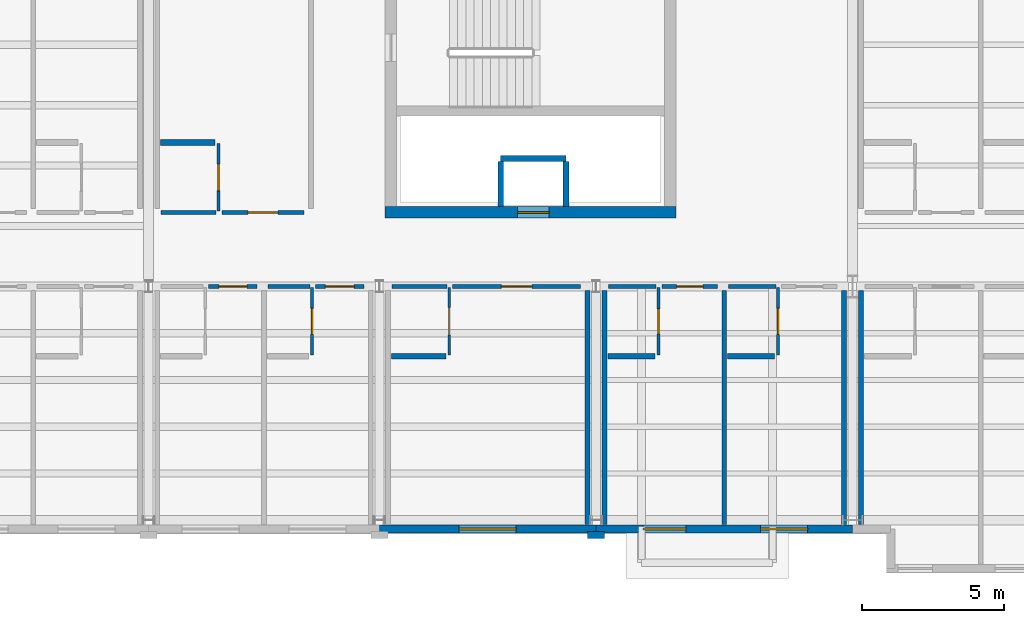
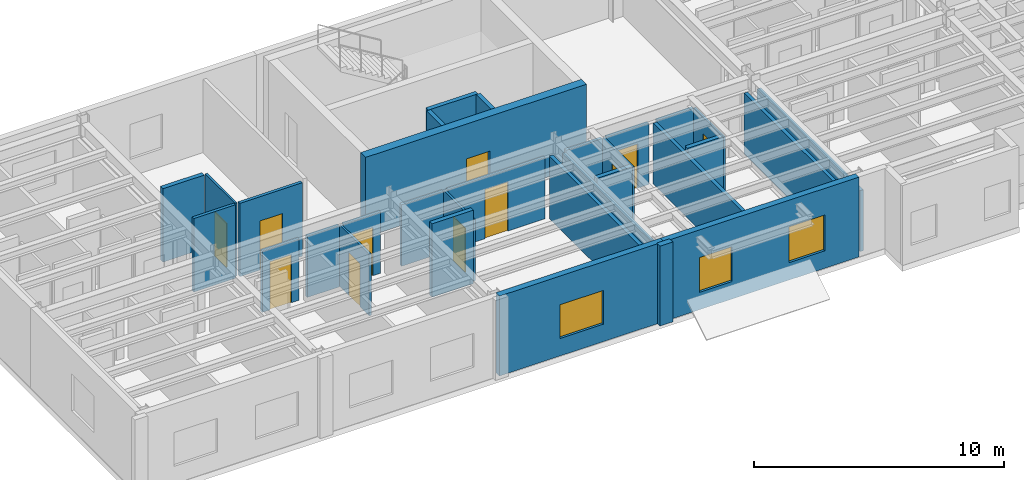
# One storey, part 26 of 46: 31 walls, 11 doors, 3 windows, 14 openings.
"""IFC4 building model written with IfcOpenShell, lengths in metres."""

import ifcopenshell
import ifcopenshell.guid

model = None  # the IFC model being written
_history = None  # IfcOwnerHistory: only IFC2X3 demands one
_inside = {}  # id of a spatial element -> (the spatial element, [elements in it])
_under = {}  # id of a project, library or spatial element -> (it, [spatial elements below it])
_declared = {}  # id of a project -> (the project, [libraries it declares])
_typed = {}  # id of a type object -> (the type object, [elements of that type])
_made_of = {}  # id of a material, layer set ... -> (it, [elements and type objects made of it])


def new_model(schema):
    """Start an empty IFC model of exactly this schema.

    Asked for "IFC4X3", IfcOpenShell would pick the latest addendum, in which some entities
    have other attributes; the version numbers below select the first issue.
    IFC2X3 requires an IfcOwnerHistory on every rooted entity: one is made here for all.
    """
    global model, _history
    if schema == "IFC4X3":
        model = ifcopenshell.file(schema_version=(4, 3, 0, 0))
    else:
        model = ifcopenshell.file(schema=schema)
    _inside.clear()
    _under.clear()
    _declared.clear()
    _typed.clear()
    _made_of.clear()
    _history = None
    if model.schema == "IFC2X3":
        org = make("IfcOrganization", Name="unknown")
        user = make(
            "IfcPersonAndOrganization",
            ThePerson=make("IfcPerson", FamilyName="unknown"),
            TheOrganization=org,
        )
        app = make(
            "IfcApplication",
            ApplicationDeveloper=org,
            Version="unknown",
            ApplicationFullName="unknown",
            ApplicationIdentifier="unknown",
        )
        _history = make(
            "IfcOwnerHistory",
            OwningUser=user,
            OwningApplication=app,
            ChangeAction="ADDED",
            CreationDate=0,
        )
    return model


def make(cls, **values):
    """One entity of the class cls with the attributes given. An attribute that is None is left unset."""
    return model.create_entity(
        cls, **{name: value for name, value in values.items() if value is not None}
    )


def rooted(cls, **values):
    """An entity with a GlobalId (a new one), such as an element, a storey or a relation."""
    return make(cls, GlobalId=ifcopenshell.guid.new(), OwnerHistory=_history, **values)


def si_unit(unit_type, name, prefix=None):
    """IfcSIUnit, for example si_unit("LENGTHUNIT", "METRE", prefix="MILLI")."""
    return make("IfcSIUnit", UnitType=unit_type, Prefix=prefix, Name=name)


def assignment(units):
    """IfcUnitAssignment: the units of a project."""
    return None if units is None else make("IfcUnitAssignment", Units=units)


def point(xyz):
    """IfcCartesianPoint."""
    return None if xyz is None else make("IfcCartesianPoint", Coordinates=xyz)


def direction(xyz):
    """IfcDirection."""
    return None if xyz is None else make("IfcDirection", DirectionRatios=xyz)


def frame(location, z_axis=None, x_axis=None):
    """IfcAxis2Placement3D, a coordinate frame: its origin and axes. An axis left out is left unset."""
    return make(
        "IfcAxis2Placement3D",
        Location=point(location),
        Axis=direction(z_axis),
        RefDirection=direction(x_axis),
    )


def frame_2d(location, x_axis=None):
    """IfcAxis2Placement2D, a coordinate frame in the plane: its origin and x axis."""
    return make(
        "IfcAxis2Placement2D", Location=point(location), RefDirection=direction(x_axis)
    )


def origin():
    """The frame at (0, 0, 0) with its axes left unset."""
    return frame((0.0, 0.0, 0.0))


def place(relative_to, where):
    """IfcLocalPlacement: puts the frame where relative to a parent placement (None: the world)."""
    return make(
        "IfcLocalPlacement", PlacementRelTo=relative_to, RelativePlacement=where
    )


def context(
    kind, dimensions, precision=None, world=None, true_north=None, identifier=None
):
    """IfcGeometricRepresentationContext, for example the 3D "Model" context."""
    return make(
        "IfcGeometricRepresentationContext",
        ContextIdentifier=identifier,
        ContextType=kind,
        CoordinateSpaceDimension=dimensions,
        Precision=precision,
        WorldCoordinateSystem=world,
        TrueNorth=true_north,
    )


def subcontext(parent, identifier, kind, view, scale=None):
    """IfcGeometricRepresentationSubContext, for example "Body" below "Model"."""
    return make(
        "IfcGeometricRepresentationSubContext",
        ContextIdentifier=identifier,
        ContextType=kind,
        ParentContext=parent,
        TargetScale=scale,
        TargetView=view,
    )


def project(units=None, contexts=None):
    """IfcProject with its units and contexts."""
    return rooted(
        "IfcProject",
        Name="project",
        RepresentationContexts=contexts,
        UnitsInContext=assignment(units),
    )


def spatial(cls, under=None, at=None, **own):
    """A site, building, storey or space (cls), placed at a placement, below another one or the project."""
    s = rooted(cls, ObjectPlacement=at, **own)
    if under is not None:
        _under.setdefault(under.id(), (under, []))[1].append(s)
    return s


def profile(cls, at=None, kind="AREA", **sizes):
    """A parametric profile (cls). Its sizes go by their IFC names, for example OverallWidth=200.0."""
    return make(cls, ProfileType=kind, Position=at, **sizes)


def rectangle(**sizes):
    """IfcRectangleProfileDef."""
    return profile("IfcRectangleProfileDef", **sizes)


def extrude(swept, where, along, depth):
    """IfcExtrudedAreaSolid: the profile swept, set in the frame where, extruded along a direction by depth."""
    return make(
        "IfcExtrudedAreaSolid",
        SweptArea=swept,
        Position=where,
        ExtrudedDirection=direction(along),
        Depth=depth,
    )


def shape(context_of_items, identifier, shape_type, items):
    """IfcShapeRepresentation: the items that make up one representation, for example the "Body"."""
    return make(
        "IfcShapeRepresentation",
        ContextOfItems=context_of_items,
        RepresentationIdentifier=identifier,
        RepresentationType=shape_type,
        Items=items,
    )


def material(Name=None, Category=None):
    """IfcMaterial."""
    return make("IfcMaterial", Name=Name, Category=Category)


def layer(
    of_material, thickness, ventilated=None, Name=None, Category=None, Priority=None
):
    """IfcMaterialLayer: one layer of a wall or slab, of a material (None: an air gap)."""
    return make(
        "IfcMaterialLayer",
        Material=of_material,
        LayerThickness=thickness,
        IsVentilated=ventilated,
        Name=Name,
        Category=Category,
        Priority=Priority,
    )


def layer_set(layers, Name=None):
    """IfcMaterialLayerSet."""
    return make("IfcMaterialLayerSet", MaterialLayers=layers, LayerSetName=Name)


def made_of(thing, what):
    """Note that an element or type object is made of a material, layer set ...; save() writes the relation."""
    if what is not None:
        _made_of.setdefault(what.id(), (what, []))[1].append(thing)
    return thing


def type_object(cls, material=None, **own):
    """A type object (cls), such as IfcWallType, which elements share."""
    return made_of(rooted(cls, **own), material)


def element(
    cls,
    number,
    at=None,
    inside=None,
    cuts=None,
    type_object=None,
    material=None,
    context=None,
    identifier="Body",
    shape_type=None,
    held_by="IfcProductDefinitionShape",
    body=None,
    shapes=None,
    **own,
):
    """One element of the class cls, such as IfcWall. Its Tag is "e" and its number.

    at: its placement. inside: the storey or other place that contains it. cuts: it is an
    opening in that element (IfcRelVoidsElement). A single representation is given by context,
    identifier, shape_type and body (its items); several are given by shapes. held_by: the class
    of the entity that holds the representations. save() writes the other relations.
    """
    e = rooted(cls, Tag="e%d" % number, ObjectPlacement=at, **own)
    if body is not None:
        shapes = [shape(context, identifier, shape_type, body)]
    if shapes is not None:
        e.Representation = make(held_by, Representations=shapes)
    if inside is not None:
        _inside.setdefault(inside.id(), (inside, []))[1].append(e)
    if cuts is not None:
        rooted(
            "IfcRelVoidsElement", RelatingBuildingElement=cuts, RelatedOpeningElement=e
        )
    if type_object is not None:
        _typed.setdefault(type_object.id(), (type_object, []))[1].append(e)
    return made_of(e, material)


def fill(opening, filler):
    """IfcRelFillsElement: the door or window that sits in an opening."""
    return rooted(
        "IfcRelFillsElement",
        RelatingOpeningElement=opening,
        RelatedBuildingElement=filler,
    )


def aggregate(whole, parts):
    """IfcRelAggregates: a whole, such as a stair, and the parts it consists of."""
    return rooted("IfcRelAggregates", RelatingObject=whole, RelatedObjects=parts)


def save(model, path):
    """Write the relations noted so far, then the file.

    IfcRelAggregates (storeys below a building ...), IfcRelContainedInSpatialStructure (elements
    in a storey), IfcRelDefinesByType, IfcRelAssociatesMaterial and IfcRelDeclares: one each for
    every whole, place, type object, material and project.
    """
    for whole, parts in _under.values():
        aggregate(whole, parts)
    for where, things in _inside.values():
        rooted(
            "IfcRelContainedInSpatialStructure",
            RelatedElements=things,
            RelatingStructure=where,
        )
    for kind, things in _typed.values():
        rooted("IfcRelDefinesByType", RelatedObjects=things, RelatingType=kind)
    for what, things in _made_of.values():
        rooted("IfcRelAssociatesMaterial", RelatedObjects=things, RelatingMaterial=what)
    for by, libraries in _declared.values():
        rooted("IfcRelDeclares", RelatingContext=by, RelatedDefinitions=libraries)
    model.write(path)


model = new_model("IFC4")

# Units and contexts
model_context = context("Model", 3, precision=1e-05, world=origin(), true_north=direction((0.0, 1.0)))
body_context = subcontext(model_context, "Body", "Model", "MODEL_VIEW")
ifc_project = project(units=[si_unit("LENGTHUNIT", "METRE"), si_unit("AREAUNIT", "SQUARE_METRE"), si_unit("VOLUMEUNIT", "CUBIC_METRE"), si_unit("PLANEANGLEUNIT", "RADIAN"), si_unit("MASSUNIT", "GRAM", prefix="KILO")], contexts=[model_context])

# Site, building, storey
site_placement = place(None, origin())
site = spatial("IfcSite", under=ifc_project, at=site_placement, CompositionType="ELEMENT")
building_placement = place(site_placement, origin())
building = spatial("IfcBuilding", under=site, at=building_placement, Name="Sollismere Congress Hotel", CompositionType="ELEMENT")
storey_placement = place(building_placement, frame((0.0, 0.0, 19.5)))
storey = spatial("IfcBuildingStorey", under=building, at=storey_placement, Name="L04", CompositionType="ELEMENT", Elevation=19.5)

# Wall, opening, window
ifc_material_1 = material(Name="Colorado Buff Sandstone Rainscreen on Insulated Backup", Category="masonry")
ifc_layer_1 = layer(ifc_material_1, 0.284912109375, Name="Colorado Buff Sandstone Rainscreen on Insulated Backup")
ifc_layer_set_1 = layer_set([ifc_layer_1], Name="Colorado Buff Sandstone Rainscreen on Insulated Backup")
wall_type_1 = type_object("IfcWallType", Name="WL-EXT285", PredefinedType="STANDARD", material=ifc_layer_set_1)
wall_1_placement = place(storey_placement, frame((50.39990234375, -0.31005859375, 0.0), z_axis=(0.0, 0.0, 1.0), x_axis=(1.0, 0.0, 0.0)))
wall_1 = element("IfcWall", 1, at=wall_1_placement, inside=storey, type_object=wall_type_1, Name="Exterior wall EW-L04-480", PredefinedType="STANDARD", context=body_context, shape_type="SweptSolid", body=[
    extrude(rectangle(XDim=7.60009765625, YDim=0.284912109375, at=frame_2d((3.800048828125, 0.0))), origin(), (0.0, 0.0, 1.0), 3.89990234375),
])
opening_1_placement = place(wall_1_placement, frame((2.800048828125, 0.0, 0.85009765625)))
opening_1 = element("IfcOpeningElement", 2, at=opening_1_placement, cuts=wall_1, Name="Opening W-L04-370", PredefinedType="OPENING", context=body_context, shape_type="SweptSolid", body=[
    extrude(rectangle(XDim=2.0, YDim=1.64990234375, at=frame_2d((1.0, 0.824951171875))), frame((0.0, 0.15234375, 0.0), z_axis=(0.0, -1.0, 0.0), x_axis=(1.0, 0.0, 0.0)), (0.0, 0.0, 1.0), 0.304931640625),
])
ifc_material_2 = material(Name="Thermally Broken Bronze Aluminum & Low-E Glass", Category="aluminium")
window_type_1 = type_object("IfcWindowType", Name="WN-P200x165", PartitioningType="SINGLE_PANEL", PredefinedType="WINDOW", material=ifc_material_2)
window_1_placement = place(opening_1_placement, origin())
window_1 = element("IfcWindow", 3, at=window_1_placement, inside=storey, type_object=window_type_1, Name="WIN-W-L04-370", OverallHeight=1.64990234375, OverallWidth=2.0, PartitioningType="SINGLE_PANEL", PredefinedType="WINDOW", context=body_context, shape_type="SweptSolid", body=[
    extrude(rectangle(XDim=2.0, YDim=1.64990234375, at=frame_2d((1.0, 0.824951171875))), frame((0.0, 0.030029296875, 0.0), z_axis=(0.0, -1.0, 0.0), x_axis=(1.0, 0.0, 0.0)), (0.0, 0.0, 1.0), 0.06005859375),
])
fill(opening_1, window_1)

# Wall, openings, windows
wall_2_placement = place(storey_placement, frame((58.0, -0.31005859375, 0.0), z_axis=(0.0, 0.0, 1.0), x_axis=(1.0, 0.0, 0.0)))
wall_2 = element("IfcWall", 4, at=wall_2_placement, inside=storey, type_object=wall_type_1, Name="Exterior wall EW-L04-482", PredefinedType="STANDARD", context=body_context, shape_type="SweptSolid", body=[
    extrude(rectangle(XDim=9.0, YDim=0.284912109375, at=frame_2d((4.5, 0.0))), origin(), (0.0, 0.0, 1.0), 3.89990234375),
])
opening_2_placement = place(wall_2_placement, frame((1.64990234375, 0.0, 0.85009765625)))
opening_2 = element("IfcOpeningElement", 5, at=opening_2_placement, cuts=wall_2, Name="Opening W-L04-371", PredefinedType="OPENING", context=body_context, shape_type="SweptSolid", body=[
    extrude(rectangle(XDim=1.5, YDim=1.699951171875, at=frame_2d((0.75, 0.85009765625))), frame((0.0, 0.15234375, 0.0), z_axis=(0.0, -1.0, 0.0), x_axis=(1.0, 0.0, 0.0)), (0.0, 0.0, 1.0), 0.304931640625),
])
opening_3_placement = place(wall_2_placement, frame((5.77490234375, 0.0, 0.85009765625)))
opening_3 = element("IfcOpeningElement", 6, at=opening_3_placement, cuts=wall_2, Name="Opening W-L04-372", PredefinedType="OPENING", context=body_context, shape_type="SweptSolid", body=[
    extrude(rectangle(XDim=1.64990234375, YDim=1.75, at=frame_2d((0.824951171875, 0.875))), frame((0.0, 0.15234375, 0.0), z_axis=(0.0, -1.0, 0.0), x_axis=(1.0, 0.0, 0.0)), (0.0, 0.0, 1.0), 0.304931640625),
])
window_type_2 = type_object("IfcWindowType", Name="WN-P150x170", PartitioningType="SINGLE_PANEL", PredefinedType="WINDOW", material=ifc_material_2)
window_2_placement = place(opening_2_placement, origin())
window_2 = element("IfcWindow", 7, at=window_2_placement, inside=storey, type_object=window_type_2, Name="WIN-W-L04-371", OverallHeight=1.699951171875, OverallWidth=1.5, PartitioningType="SINGLE_PANEL", PredefinedType="WINDOW", context=body_context, shape_type="SweptSolid", body=[
    extrude(rectangle(XDim=1.5, YDim=1.699951171875, at=frame_2d((0.75, 0.85009765625))), frame((0.0, 0.030029296875, 0.0), z_axis=(0.0, -1.0, 0.0), x_axis=(1.0, 0.0, 0.0)), (0.0, 0.0, 1.0), 0.06005859375),
])
fill(opening_2, window_2)
window_type_3 = type_object("IfcWindowType", Name="WN-P165x175", PartitioningType="SINGLE_PANEL", PredefinedType="WINDOW", material=ifc_material_2)
window_3_placement = place(opening_3_placement, origin())
window_3 = element("IfcWindow", 8, at=window_3_placement, inside=storey, type_object=window_type_3, Name="WIN-W-L04-372", OverallHeight=1.75, OverallWidth=1.64990234375, PartitioningType="SINGLE_PANEL", PredefinedType="WINDOW", context=body_context, shape_type="SweptSolid", body=[
    extrude(rectangle(XDim=1.64990234375, YDim=1.75, at=frame_2d((0.824951171875, 0.875))), frame((0.0, 0.030029296875, 0.0), z_axis=(0.0, -1.0, 0.0), x_axis=(1.0, 0.0, 0.0)), (0.0, 0.0, 1.0), 0.06005859375),
])
fill(opening_3, window_3)

# Walls
ifc_material_3 = material(Name="Carved Travertine Pilaster & Frieze Assembly", Category="masonry")
ifc_layer_2 = layer(ifc_material_3, 0.260009765625, Name="Carved Travertine Pilaster & Frieze Assembly")
ifc_layer_set_2 = layer_set([ifc_layer_2], Name="Carved Travertine Pilaster & Frieze Assembly")
wall_type_2 = type_object("IfcWallType", Name="WL-PIL280", PredefinedType="ELEMENTEDWALL", material=ifc_layer_set_2)
wall_3_placement = place(storey_placement, frame((57.699951171875, -0.52001953125, 0.0), z_axis=(0.0, 0.0, 1.0), x_axis=(1.0, 0.0, 0.0)))
element("IfcWall", 9, at=wall_3_placement, inside=storey, type_object=wall_type_2, Name="Exterior wall EW-L04-483", PredefinedType="ELEMENTEDWALL", context=body_context, shape_type="SweptSolid", body=[
    extrude(rectangle(XDim=0.60009765625, YDim=0.260009765625, at=frame_2d((0.300048828125, 0.0))), origin(), (0.0, 0.0, 1.0), 3.89990234375),
])
ifc_material_4 = material(Name="Moisture-Resistant Shaft Gypsum Assembly")
ifc_layer_3 = layer(ifc_material_4, 0.199951171875, Name="Moisture-Resistant Shaft Gypsum Assembly")
ifc_layer_set_3 = layer_set([ifc_layer_3], Name="Moisture-Resistant Shaft Gypsum Assembly")
wall_type_3 = type_object("IfcWallType", Name="WL-PLM200", PredefinedType="PLUMBINGWALL", material=ifc_layer_set_3)
wall_4_placement = place(storey_placement, frame((54.655029296875, 12.68994140625, 0.0), z_axis=(0.0, 0.0, 1.0), x_axis=(1.0, 0.0, 0.0)))
element("IfcWall", 10, at=wall_4_placement, inside=storey, type_object=wall_type_3, Name="Interior wall IW-L04-0716", PredefinedType="PLUMBINGWALL", context=body_context, shape_type="SweptSolid", body=[
    extrude(rectangle(XDim=2.2900390625, YDim=0.199951171875, at=frame_2d((1.14501953125, 0.0))), origin(), (0.0, 0.0, 1.0), 3.5849609375),
])
for number, where, z_axis, x_axis, name in (
    (11, (54.655029296875, 11.011962890625, 0.0), (0.0, 0.0, 1.0), (0.0, 1.0, 0.0), "Interior wall IW-L04-0717"),
    (12, (56.945068359375, 11.011962890625, 0.0), (0.0, 0.0, 1.0), (0.0, 1.0, 0.0), "Interior wall IW-L04-0718"),
):
    element("IfcWall", number, at=place(storey_placement, frame(where, z_axis=z_axis, x_axis=x_axis)), inside=storey, type_object=wall_type_3, Name=name, PredefinedType="PLUMBINGWALL", context=body_context, shape_type="SweptSolid", body=[
        extrude(rectangle(XDim=1.56591796875, YDim=0.199951171875, at=frame_2d((0.782958984375, 0.0))), origin(), (0.0, 0.0, 1.0), 3.5849609375),
    ])
for number, where, z_axis, x_axis, name in (
    (13, (42.719970703125, 13.25, 0.0), (0.0, 0.0, 1.0), (1.0, 0.0, 0.0), "Interior wall IW-L04-1521"),
    (14, (50.820068359375, 5.75, 0.0), (0.0, 0.0, 1.0), (1.0, 0.0, 0.0), "Interior wall IW-L04-1527"),
):
    element("IfcWall", number, at=place(storey_placement, frame(where, z_axis=z_axis, x_axis=x_axis)), inside=storey, type_object=wall_type_3, Name=name, PredefinedType="PLUMBINGWALL", context=body_context, shape_type="SweptSolid", body=[
        extrude(rectangle(XDim=1.909912109375, YDim=0.199951171875, at=frame_2d((0.955078125, 0.0))), origin(), (0.0, 0.0, 1.0), 3.5849609375),
    ])
wall_5_placement = place(storey_placement, frame((58.419921875, 5.75, 0.0), z_axis=(0.0, 0.0, 1.0), x_axis=(1.0, 0.0, 0.0)))
element("IfcWall", 15, at=wall_5_placement, inside=storey, type_object=wall_type_3, Name="Interior wall IW-L04-1533", PredefinedType="PLUMBINGWALL", context=body_context, shape_type="SweptSolid", body=[
    extrude(rectangle(XDim=1.650146484375, YDim=0.199951171875, at=frame_2d((0.8251953125, 0.0))), origin(), (0.0, 0.0, 1.0), 3.137939453125),
])
wall_6_placement = place(storey_placement, frame((62.6201171875, 5.75, 0.0), z_axis=(0.0, 0.0, 1.0), x_axis=(1.0, 0.0, 0.0)))
element("IfcWall", 16, at=wall_6_placement, inside=storey, type_object=wall_type_3, Name="Interior wall IW-L04-1538", PredefinedType="PLUMBINGWALL", context=body_context, shape_type="SweptSolid", body=[
    extrude(rectangle(XDim=1.64990234375, YDim=0.199951171875, at=frame_2d((0.824951171875, 0.0))), origin(), (0.0, 0.0, 1.0), 3.137939453125),
])

# Wall, opening, door
ifc_material_5 = material(Name="Moisture-Resistant Gypsum Partition")
ifc_layer_4 = layer(ifc_material_5, 0.10009765625, Name="Moisture-Resistant Gypsum Partition")
ifc_layer_set_4 = layer_set([ifc_layer_4], Name="Moisture-Resistant Gypsum Partition")
wall_type_4 = type_object("IfcWallType", Name="WL-PRT100", PredefinedType="PARTITIONING", material=ifc_layer_set_4)
wall_7_placement = place(storey_placement, frame((48.0380859375, 5.7900390625, 0.0), z_axis=(0.0, 0.0, 1.0), x_axis=(0.0, 1.0, 0.0)))
wall_7 = element("IfcWall", 17, at=wall_7_placement, inside=storey, type_object=wall_type_4, Name="Interior wall IW-L04-1514", PredefinedType="PARTITIONING", context=body_context, shape_type="SweptSolid", body=[
    extrude(rectangle(XDim=2.369873046875, YDim=0.10009765625, at=frame_2d((1.18505859375, 0.0))), origin(), (0.0, 0.0, 1.0), 2.998046875),
])
opening_4_placement = place(wall_7_placement, frame((0.73291015625, 0.0, 0.0)))
opening_4 = element("IfcOpeningElement", 18, at=opening_4_placement, cuts=wall_7, Name="Opening D-L04-0534", PredefinedType="OPENING", context=body_context, shape_type="SweptSolid", body=[
    extrude(rectangle(XDim=0.905029296875, YDim=2.10009765625, at=frame_2d((0.45263671875, 1.050048828125))), frame((0.0, 0.06005859375, 0.0), z_axis=(0.0, -1.0, 0.0), x_axis=(1.0, 0.0, 0.0)), (0.0, 0.0, 1.0), 0.1201171875),
])
ifc_material_6 = material(Name="Moisture-Sealed Timber Bathroom Door", Category="wood")
door_type_1 = type_object("IfcDoorType", Name="DR-BT02", OperationType="NOTDEFINED", PredefinedType="DOOR", material=ifc_material_6)
door_1_placement = place(opening_4_placement, origin())
door_1 = element("IfcDoor", 19, at=door_1_placement, inside=storey, type_object=door_type_1, Name="En-suite bathroom door D-L04-0534", OperationType="SINGLE_SWING_LEFT", OverallHeight=2.10009765625, OverallWidth=0.905029296875, PredefinedType="DOOR", context=body_context, shape_type="SweptSolid", body=[
    extrude(rectangle(XDim=0.905029296875, YDim=2.10009765625, at=frame_2d((0.45263671875, 1.050048828125))), frame((0.0, 0.02490234375, 0.0), z_axis=(0.0, -1.0, 0.0), x_axis=(1.0, 0.0, 0.0)), (0.0, 0.0, 1.0), 0.050048828125),
])
fill(opening_4, door_1)

wall_8_placement = place(storey_placement, frame((44.75, 10.840087890625, 0.0), z_axis=(0.0, 0.0, 1.0), x_axis=(0.0, 1.0, 0.0)))
wall_8 = element("IfcWall", 20, at=wall_8_placement, inside=storey, type_object=wall_type_4, Name="Interior wall IW-L04-1520", PredefinedType="PARTITIONING", context=body_context, shape_type="SweptSolid", body=[
    extrude(rectangle(XDim=2.369873046875, YDim=0.10009765625, at=frame_2d((1.18505859375, 0.0))), origin(), (0.0, 0.0, 1.0), 3.5849609375),
])
opening_5_placement = place(wall_8_placement, frame((0.719970703125, 0.0, 0.0)))
opening_5 = element("IfcOpeningElement", 21, at=opening_5_placement, cuts=wall_8, Name="Opening D-L04-0536", PredefinedType="OPENING", context=body_context, shape_type="SweptSolid", body=[
    extrude(rectangle(XDim=0.929931640625, YDim=2.139892578125, at=frame_2d((0.46484375, 1.06982421875))), frame((0.0, 0.06005859375, 0.0), z_axis=(0.0, -1.0, 0.0), x_axis=(1.0, 0.0, 0.0)), (0.0, 0.0, 1.0), 0.1201171875),
])
door_type_2 = type_object("IfcDoorType", Name="DR-BT03", OperationType="NOTDEFINED", PredefinedType="DOOR", material=ifc_material_6)
door_2_placement = place(opening_5_placement, origin())
door_2 = element("IfcDoor", 22, at=door_2_placement, inside=storey, type_object=door_type_2, Name="En-suite bathroom door D-L04-0536", OperationType="SINGLE_SWING_LEFT", OverallHeight=2.139892578125, OverallWidth=0.929931640625, PredefinedType="DOOR", context=body_context, shape_type="SweptSolid", body=[
    extrude(rectangle(XDim=0.929931640625, YDim=2.139892578125, at=frame_2d((0.46484375, 1.06982421875))), frame((0.0, 0.02490234375, 0.0), z_axis=(0.0, -1.0, 0.0), x_axis=(1.0, 0.0, 0.0)), (0.0, 0.0, 1.0), 0.050048828125),
])
fill(opening_5, door_2)

wall_9_placement = place(storey_placement, frame((52.85009765625, 5.7900390625, 0.0), z_axis=(0.0, 0.0, 1.0), x_axis=(0.0, 1.0, 0.0)))
wall_9 = element("IfcWall", 23, at=wall_9_placement, inside=storey, type_object=wall_type_4, Name="Interior wall IW-L04-1526", PredefinedType="PARTITIONING", context=body_context, shape_type="SweptSolid", body=[
    extrude(rectangle(XDim=2.369873046875, YDim=0.10009765625, at=frame_2d((1.18505859375, 0.0))), origin(), (0.0, 0.0, 1.0), 2.998046875),
])
opening_6_placement = place(wall_9_placement, frame((0.7080078125, 0.0, 0.0)))
opening_6 = element("IfcOpeningElement", 24, at=opening_6_placement, cuts=wall_9, Name="Opening D-L04-0538", PredefinedType="OPENING", context=body_context, shape_type="SweptSolid", body=[
    extrude(rectangle(XDim=0.955078125, YDim=2.139892578125, at=frame_2d((0.4775390625, 1.06982421875))), frame((0.0, 0.06005859375, 0.0), z_axis=(0.0, -1.0, 0.0), x_axis=(1.0, 0.0, 0.0)), (0.0, 0.0, 1.0), 0.1201171875),
])
door_type_3 = type_object("IfcDoorType", Name="DR-BT04", OperationType="NOTDEFINED", PredefinedType="DOOR", material=ifc_material_6)
door_3_placement = place(opening_6_placement, origin())
door_3 = element("IfcDoor", 25, at=door_3_placement, inside=storey, type_object=door_type_3, Name="En-suite bathroom door D-L04-0538", OperationType="SINGLE_SWING_LEFT", OverallHeight=2.139892578125, OverallWidth=0.955078125, PredefinedType="DOOR", context=body_context, shape_type="SweptSolid", body=[
    extrude(rectangle(XDim=0.955078125, YDim=2.139892578125, at=frame_2d((0.4775390625, 1.06982421875))), frame((0.0, 0.02490234375, 0.0), z_axis=(0.0, -1.0, 0.0), x_axis=(1.0, 0.0, 0.0)), (0.0, 0.0, 1.0), 0.050048828125),
])
fill(opening_6, door_3)

wall_10_placement = place(storey_placement, frame((60.18994140625, 5.7900390625, 0.0), z_axis=(0.0, 0.0, 1.0), x_axis=(0.0, 1.0, 0.0)))
wall_10 = element("IfcWall", 26, at=wall_10_placement, inside=storey, type_object=wall_type_4, Name="Interior wall IW-L04-1532", PredefinedType="PARTITIONING", context=body_context, shape_type="SweptSolid", body=[
    extrude(rectangle(XDim=2.369873046875, YDim=0.10009765625, at=frame_2d((1.18505859375, 0.0))), origin(), (0.0, 0.0, 1.0), 2.998046875),
])
opening_7_placement = place(wall_10_placement, frame((0.7451171875, 0.0, 0.0)))
opening_7 = element("IfcOpeningElement", 27, at=opening_7_placement, cuts=wall_10, Name="Opening D-L04-0540", PredefinedType="OPENING", context=body_context, shape_type="SweptSolid", body=[
    extrude(rectangle(XDim=0.8798828125, YDim=2.179931640625, at=frame_2d((0.43994140625, 1.08984375))), frame((0.0, 0.06005859375, 0.0), z_axis=(0.0, -1.0, 0.0), x_axis=(1.0, 0.0, 0.0)), (0.0, 0.0, 1.0), 0.1201171875),
])
door_type_4 = type_object("IfcDoorType", Name="DR-BT05", OperationType="NOTDEFINED", PredefinedType="DOOR", material=ifc_material_6)
door_4_placement = place(opening_7_placement, origin())
door_4 = element("IfcDoor", 28, at=door_4_placement, inside=storey, type_object=door_type_4, Name="En-suite bathroom door D-L04-0540", OperationType="SINGLE_SWING_LEFT", OverallHeight=2.179931640625, OverallWidth=0.8798828125, PredefinedType="DOOR", context=body_context, shape_type="SweptSolid", body=[
    extrude(rectangle(XDim=0.8798828125, YDim=2.179931640625, at=frame_2d((0.43994140625, 1.08984375))), frame((0.0, 0.02490234375, 0.0), z_axis=(0.0, -1.0, 0.0), x_axis=(1.0, 0.0, 0.0)), (0.0, 0.0, 1.0), 0.050048828125),
])
fill(opening_7, door_4)

wall_11_placement = place(storey_placement, frame((64.389892578125, 5.7900390625, 0.0), z_axis=(0.0, 0.0, 1.0), x_axis=(0.0, 1.0, 0.0)))
wall_11 = element("IfcWall", 29, at=wall_11_placement, inside=storey, type_object=wall_type_4, Name="Interior wall IW-L04-1537", PredefinedType="PARTITIONING", context=body_context, shape_type="SweptSolid", body=[
    extrude(rectangle(XDim=2.369873046875, YDim=0.10009765625, at=frame_2d((1.18505859375, 0.0))), origin(), (0.0, 0.0, 1.0), 2.998046875),
])
opening_8_placement = place(wall_11_placement, frame((0.73291015625, 0.0, 0.0)))
opening_8 = element("IfcOpeningElement", 30, at=opening_8_placement, cuts=wall_11, Name="Opening D-L04-0542", PredefinedType="OPENING", context=body_context, shape_type="SweptSolid", body=[
    extrude(rectangle(XDim=0.905029296875, YDim=2.179931640625, at=frame_2d((0.45263671875, 1.08984375))), frame((0.0, 0.06005859375, 0.0), z_axis=(0.0, -1.0, 0.0), x_axis=(1.0, 0.0, 0.0)), (0.0, 0.0, 1.0), 0.1201171875),
])
door_type_5 = type_object("IfcDoorType", Name="DR-BT06", OperationType="NOTDEFINED", PredefinedType="DOOR", material=ifc_material_6)
door_5_placement = place(opening_8_placement, origin())
door_5 = element("IfcDoor", 31, at=door_5_placement, inside=storey, type_object=door_type_5, Name="En-suite bathroom door D-L04-0542", OperationType="SINGLE_SWING_LEFT", OverallHeight=2.179931640625, OverallWidth=0.905029296875, PredefinedType="DOOR", context=body_context, shape_type="SweptSolid", body=[
    extrude(rectangle(XDim=0.905029296875, YDim=2.179931640625, at=frame_2d((0.45263671875, 1.08984375))), frame((0.0, 0.02490234375, 0.0), z_axis=(0.0, -1.0, 0.0), x_axis=(1.0, 0.0, 0.0)), (0.0, 0.0, 1.0), 0.050048828125),
])
fill(opening_8, door_5)

ifc_material_7 = material(Name="Fire-Rated Gypsum Partition")
ifc_layer_5 = layer(ifc_material_7, 0.139892578125, Name="Fire-Rated Gypsum Partition")
ifc_layer_set_5 = layer_set([ifc_layer_5], Name="Fire-Rated Gypsum Partition")
wall_type_5 = type_object("IfcWallType", Name="WL-PRT140R", PredefinedType="PARTITIONING", material=ifc_layer_set_5)
wall_12_placement = place(storey_placement, frame((44.407958984375, 8.199951171875, 0.0), z_axis=(0.0, 0.0, 1.0), x_axis=(1.0, 0.0, 0.0)))
wall_12 = element("IfcWall", 32, at=wall_12_placement, inside=storey, type_object=wall_type_5, Name="Interior wall IW-L04-1506", PredefinedType="PARTITIONING", context=body_context, shape_type="SweptSolid", body=[
    extrude(rectangle(XDim=1.7021484375, YDim=0.139892578125, at=frame_2d((0.85107421875, 0.0))), origin(), (0.0, 0.0, 1.0), 2.998046875),
])
opening_9_placement = place(wall_12_placement, frame((0.361083984375, 0.0, 0.0)))
opening_9 = element("IfcOpeningElement", 33, at=opening_9_placement, cuts=wall_12, Name="Opening D-L04-0531", PredefinedType="OPENING", context=body_context, shape_type="SweptSolid", body=[
    extrude(rectangle(XDim=0.97998046875, YDim=2.35009765625, at=frame_2d((0.489990234375, 1.175048828125))), frame((0.0, 0.079833984375, 0.0), z_axis=(0.0, -1.0, 0.0), x_axis=(1.0, 0.0, 0.0)), (0.0, 0.0, 1.0), 0.159912109375),
])
ifc_material_8 = material(Name="Solid-Core Acoustic Walnut Guestroom Entry Door")
door_type_6 = type_object("IfcDoorType", Name="DR-KY09", OperationType="NOTDEFINED", PredefinedType="DOOR", material=ifc_material_8)
door_6_placement = place(opening_9_placement, origin())
door_6 = element("IfcDoor", 34, at=door_6_placement, inside=storey, type_object=door_type_6, Name="Hotel room entry door D-L04-0531", OperationType="SINGLE_SWING_RIGHT", OverallHeight=2.35009765625, OverallWidth=0.97998046875, PredefinedType="DOOR", context=body_context, shape_type="SweptSolid", body=[
    extrude(rectangle(XDim=0.97998046875, YDim=2.35009765625, at=frame_2d((0.489990234375, 1.175048828125))), frame((0.0, 0.02490234375, 0.0), z_axis=(0.0, -1.0, 0.0), x_axis=(1.0, 0.0, 0.0)), (0.0, 0.0, 1.0), 0.050048828125),
])
fill(opening_9, door_6)

# Wall
wall_13_placement = place(storey_placement, frame((46.489990234375, 8.199951171875, 0.0), z_axis=(0.0, 0.0, 1.0), x_axis=(1.0, 0.0, 0.0)))
element("IfcWall", 35, at=wall_13_placement, inside=storey, type_object=wall_type_5, Name="Interior wall IW-L04-1511", PredefinedType="PARTITIONING", context=body_context, shape_type="SweptSolid", body=[
    extrude(rectangle(XDim=1.468017578125, YDim=0.139892578125, at=frame_2d((0.73388671875, 0.0))), origin(), (0.0, 0.0, 1.0), 2.998046875),
])

# Wall, opening, door
wall_14_placement = place(storey_placement, frame((48.157958984375, 8.199951171875, 0.0), z_axis=(0.0, 0.0, 1.0), x_axis=(1.0, 0.0, 0.0)))
wall_14 = element("IfcWall", 36, at=wall_14_placement, inside=storey, type_object=wall_type_5, Name="Interior wall IW-L04-1512", PredefinedType="PARTITIONING", context=body_context, shape_type="SweptSolid", body=[
    extrude(rectangle(XDim=1.7021484375, YDim=0.139892578125, at=frame_2d((0.85107421875, 0.0))), origin(), (0.0, 0.0, 1.0), 2.998046875),
])
opening_10_placement = place(wall_14_placement, frame((0.345947265625, 0.0, 0.0)))
opening_10 = element("IfcOpeningElement", 37, at=opening_10_placement, cuts=wall_14, Name="Opening D-L04-0533", PredefinedType="OPENING", context=body_context, shape_type="SweptSolid", body=[
    extrude(rectangle(XDim=1.010009765625, YDim=2.35009765625, at=frame_2d((0.5048828125, 1.175048828125))), frame((0.0, 0.079833984375, 0.0), z_axis=(0.0, -1.0, 0.0), x_axis=(1.0, 0.0, 0.0)), (0.0, 0.0, 1.0), 0.159912109375),
])
door_type_7 = type_object("IfcDoorType", Name="DR-KY10", OperationType="NOTDEFINED", PredefinedType="DOOR", material=ifc_material_8)
door_7_placement = place(opening_10_placement, origin())
door_7 = element("IfcDoor", 38, at=door_7_placement, inside=storey, type_object=door_type_7, Name="Hotel room entry door D-L04-0533", OperationType="SINGLE_SWING_RIGHT", OverallHeight=2.35009765625, OverallWidth=1.010009765625, PredefinedType="DOOR", context=body_context, shape_type="SweptSolid", body=[
    extrude(rectangle(XDim=1.010009765625, YDim=2.35009765625, at=frame_2d((0.5048828125, 1.175048828125))), frame((0.0, 0.02490234375, 0.0), z_axis=(0.0, -1.0, 0.0), x_axis=(1.0, 0.0, 0.0)), (0.0, 0.0, 1.0), 0.050048828125),
])
fill(opening_10, door_7)

# Wall
wall_15_placement = place(storey_placement, frame((42.739990234375, 10.800048828125, 0.0), z_axis=(0.0, 0.0, 1.0), x_axis=(1.0, 0.0, 0.0)))
element("IfcWall", 39, at=wall_15_placement, inside=storey, type_object=wall_type_5, Name="Interior wall IW-L04-1516", PredefinedType="PARTITIONING", context=body_context, shape_type="SweptSolid", body=[
    extrude(rectangle(XDim=1.929931640625, YDim=0.139892578125, at=frame_2d((0.96484375, 0.0))), origin(), (0.0, 0.0, 1.0), 3.5849609375),
])

# Wall, opening, door
wall_16_placement = place(storey_placement, frame((44.8701171875, 10.800048828125, 0.0), z_axis=(0.0, 0.0, 1.0), x_axis=(1.0, 0.0, 0.0)))
wall_16 = element("IfcWall", 40, at=wall_16_placement, inside=storey, type_object=wall_type_5, Name="Interior wall IW-L04-1517", PredefinedType="PARTITIONING", context=body_context, shape_type="SweptSolid", body=[
    extrude(rectangle(XDim=2.889892578125, YDim=0.139892578125, at=frame_2d((1.44482421875, 0.0))), origin(), (0.0, 0.0, 1.0), 3.5849609375),
])
opening_11_placement = place(wall_16_placement, frame((0.925048828125, 0.0, 0.0)))
opening_11 = element("IfcOpeningElement", 41, at=opening_11_placement, cuts=wall_16, Name="Opening D-L04-0535", PredefinedType="OPENING", context=body_context, shape_type="SweptSolid", body=[
    extrude(rectangle(XDim=1.0400390625, YDim=2.39990234375, at=frame_2d((0.52001953125, 1.199951171875))), frame((0.0, 0.079833984375, 0.0), z_axis=(0.0, -1.0, 0.0), x_axis=(1.0, 0.0, 0.0)), (0.0, 0.0, 1.0), 0.159912109375),
])
door_type_8 = type_object("IfcDoorType", Name="DR-KY11", OperationType="NOTDEFINED", PredefinedType="DOOR", material=ifc_material_8)
door_8_placement = place(opening_11_placement, origin())
door_8 = element("IfcDoor", 42, at=door_8_placement, inside=storey, type_object=door_type_8, Name="Hotel room entry door D-L04-0535", OperationType="SINGLE_SWING_RIGHT", OverallHeight=2.39990234375, OverallWidth=1.0400390625, PredefinedType="DOOR", context=body_context, shape_type="SweptSolid", body=[
    extrude(rectangle(XDim=1.0400390625, YDim=2.39990234375, at=frame_2d((0.52001953125, 1.199951171875))), frame((0.0, 0.02490234375, 0.0), z_axis=(0.0, -1.0, 0.0), x_axis=(1.0, 0.0, 0.0)), (0.0, 0.0, 1.0), 0.050048828125),
])
fill(opening_11, door_8)

# Wall
wall_17_placement = place(storey_placement, frame((50.840087890625, 8.199951171875, 0.0), z_axis=(0.0, 0.0, 1.0), x_axis=(1.0, 0.0, 0.0)))
element("IfcWall", 43, at=wall_17_placement, inside=storey, type_object=wall_type_5, Name="Interior wall IW-L04-1522", PredefinedType="PARTITIONING", context=body_context, shape_type="SweptSolid", body=[
    extrude(rectangle(XDim=1.929931640625, YDim=0.139892578125, at=frame_2d((0.96484375, 0.0))), origin(), (0.0, 0.0, 1.0), 2.998046875),
])

# Wall, opening, door
wall_18_placement = place(storey_placement, frame((52.969970703125, 8.199951171875, 0.0), z_axis=(0.0, 0.0, 1.0), x_axis=(1.0, 0.0, 0.0)))
wall_18 = element("IfcWall", 44, at=wall_18_placement, inside=storey, type_object=wall_type_5, Name="Interior wall IW-L04-1523", PredefinedType="PARTITIONING", context=body_context, shape_type="SweptSolid", body=[
    extrude(rectangle(XDim=4.489990234375, YDim=0.139892578125, at=frame_2d((2.2451171875, 0.0))), origin(), (0.0, 0.0, 1.0), 2.998046875),
])
opening_12_placement = place(wall_18_placement, frame((1.7099609375, 0.0, 0.0)))
opening_12 = element("IfcOpeningElement", 45, at=opening_12_placement, cuts=wall_18, Name="Opening D-L04-0537", PredefinedType="OPENING", context=body_context, shape_type="SweptSolid", body=[
    extrude(rectangle(XDim=1.070068359375, YDim=2.39990234375, at=frame_2d((0.53515625, 1.199951171875))), frame((0.0, 0.079833984375, 0.0), z_axis=(0.0, -1.0, 0.0), x_axis=(1.0, 0.0, 0.0)), (0.0, 0.0, 1.0), 0.159912109375),
])
door_type_9 = type_object("IfcDoorType", Name="DR-KY12", OperationType="NOTDEFINED", PredefinedType="DOOR", material=ifc_material_8)
door_9_placement = place(opening_12_placement, origin())
door_9 = element("IfcDoor", 46, at=door_9_placement, inside=storey, type_object=door_type_9, Name="Hotel room entry door D-L04-0537", OperationType="SINGLE_SWING_RIGHT", OverallHeight=2.39990234375, OverallWidth=1.070068359375, PredefinedType="DOOR", context=body_context, shape_type="SweptSolid", body=[
    extrude(rectangle(XDim=1.070068359375, YDim=2.39990234375, at=frame_2d((0.53515625, 1.199951171875))), frame((0.0, 0.02490234375, 0.0), z_axis=(0.0, -1.0, 0.0), x_axis=(1.0, 0.0, 0.0)), (0.0, 0.0, 1.0), 0.050048828125),
])
fill(opening_12, door_9)

# Wall
wall_19_placement = place(storey_placement, frame((58.43994140625, 8.199951171875, 0.0), z_axis=(0.0, 0.0, 1.0), x_axis=(1.0, 0.0, 0.0)))
element("IfcWall", 47, at=wall_19_placement, inside=storey, type_object=wall_type_5, Name="Interior wall IW-L04-1528", PredefinedType="PARTITIONING", context=body_context, shape_type="SweptSolid", body=[
    extrude(rectangle(XDim=1.670166015625, YDim=0.139892578125, at=frame_2d((0.8349609375, 0.0))), origin(), (0.0, 0.0, 1.0), 2.998046875),
])

# Wall, opening, door
wall_20_placement = place(storey_placement, frame((60.31005859375, 8.199951171875, 0.0), z_axis=(0.0, 0.0, 1.0), x_axis=(1.0, 0.0, 0.0)))
wall_20 = element("IfcWall", 48, at=wall_20_placement, inside=storey, type_object=wall_type_5, Name="Interior wall IW-L04-1529", PredefinedType="PARTITIONING", context=body_context, shape_type="SweptSolid", body=[
    extrude(rectangle(XDim=1.949951171875, YDim=0.139892578125, at=frame_2d((0.97509765625, 0.0))), origin(), (0.0, 0.0, 1.0), 2.998046875),
])
opening_13_placement = place(wall_20_placement, frame((0.514892578125, 0.0, 0.0)))
opening_13 = element("IfcOpeningElement", 49, at=opening_13_placement, cuts=wall_20, Name="Opening D-L04-0539", PredefinedType="OPENING", context=body_context, shape_type="SweptSolid", body=[
    extrude(rectangle(XDim=0.919921875, YDim=2.14990234375, at=frame_2d((0.4599609375, 1.074951171875))), frame((0.0, 0.079833984375, 0.0), z_axis=(0.0, -1.0, 0.0), x_axis=(1.0, 0.0, 0.0)), (0.0, 0.0, 1.0), 0.159912109375),
])
door_type_10 = type_object("IfcDoorType", Name="DR-KY01", OperationType="NOTDEFINED", PredefinedType="DOOR", material=ifc_material_8)
door_10_placement = place(opening_13_placement, origin())
door_10 = element("IfcDoor", 50, at=door_10_placement, inside=storey, type_object=door_type_10, Name="Hotel room entry door D-L04-0539", OperationType="SINGLE_SWING_RIGHT", OverallHeight=2.14990234375, OverallWidth=0.919921875, PredefinedType="DOOR", context=body_context, shape_type="SweptSolid", body=[
    extrude(rectangle(XDim=0.919921875, YDim=2.14990234375, at=frame_2d((0.4599609375, 1.074951171875))), frame((0.0, 0.02490234375, 0.0), z_axis=(0.0, -1.0, 0.0), x_axis=(1.0, 0.0, 0.0)), (0.0, 0.0, 1.0), 0.050048828125),
])
fill(opening_13, door_10)

# Walls
wall_21_placement = place(storey_placement, frame((62.639892578125, 8.199951171875, 0.0), z_axis=(0.0, 0.0, 1.0), x_axis=(1.0, 0.0, 0.0)))
element("IfcWall", 51, at=wall_21_placement, inside=storey, type_object=wall_type_5, Name="Interior wall IW-L04-1534", PredefinedType="PARTITIONING", context=body_context, shape_type="SweptSolid", body=[
    extrude(rectangle(XDim=1.670166015625, YDim=0.139892578125, at=frame_2d((0.8349609375, 0.0))), origin(), (0.0, 0.0, 1.0), 2.998046875),
])
ifc_material_9 = material(Name="Fire-Rated Acoustic Gypsum Partition")
ifc_layer_6 = layer(ifc_material_9, 0.1650390625, Name="Fire-Rated Acoustic Gypsum Partition")
ifc_layer_set_6 = layer_set([ifc_layer_6], Name="Fire-Rated Acoustic Gypsum Partition")
wall_type_6 = type_object("IfcWallType", Name="WL-PRT165R", PredefinedType="PARTITIONING", material=ifc_layer_set_6)
wall_22_placement = place(storey_placement, frame((57.699951171875, -0.152587890625, 0.0), z_axis=(0.0, 0.0, 1.0), x_axis=(0.0, 1.0, 0.0)))
element("IfcWall", 52, at=wall_22_placement, inside=storey, type_object=wall_type_6, Name="Interior wall IW-L04-1525", PredefinedType="PARTITIONING", context=body_context, shape_type="SweptSolid", body=[
    extrude(rectangle(XDim=8.212646484375, YDim=0.1650390625, at=frame_2d((4.1064453125, 0.0))), origin(), (0.0, 0.0, 1.0), 3.05908203125),
])
for number, where, z_axis, x_axis, name in (
    (53, (58.300048828125, -0.152587890625, 0.0), (0.0, 0.0, 1.0), (0.0, 1.0, 0.0), "Interior wall IW-L04-1530"),
    (54, (62.5, -0.152587890625, 0.0), (0.0, 0.0, 1.0), (0.0, 1.0, 0.0), "Interior wall IW-L04-1531"),
    (55, (66.699951171875, -0.152587890625, 0.0), (0.0, 0.0, 1.0), (0.0, 1.0, 0.0), "Interior wall IW-L04-1536"),
    (56, (67.300048828125, -0.152587890625, 0.0), (0.0, 0.0, 1.0), (0.0, 1.0, 0.0), "Interior wall IW-L04-1541"),
):
    element("IfcWall", number, at=place(storey_placement, frame(where, z_axis=z_axis, x_axis=x_axis)), inside=storey, type_object=wall_type_6, Name=name, PredefinedType="PARTITIONING", context=body_context, shape_type="SweptSolid", body=[
        extrude(rectangle(XDim=8.212646484375, YDim=0.1650390625, at=frame_2d((4.1064453125, 0.0))), origin(), (0.0, 0.0, 1.0), 2.97509765625),
    ])

# Wall, opening, door
ifc_material_10 = material(Name="Concrete C50/60", Category="concrete")
ifc_layer_7 = layer(ifc_material_10, 0.39990234375, Name="Concrete C50/60")
ifc_layer_set_7 = layer_set([ifc_layer_7], Name="Concrete C50/60")
wall_type_7 = type_object("IfcWallType", Name="WL-SHR400", PredefinedType="SHEAR", material=ifc_layer_set_7)
wall_23_placement = place(storey_placement, frame((50.60009765625, 10.800048828125, 0.0), z_axis=(0.0, 0.0, 1.0), x_axis=(1.0, 0.0, 0.0)))
wall_23 = element("IfcWall", 57, at=wall_23_placement, inside=storey, type_object=wall_type_7, Name="Interior wall IW-L04-0711", PredefinedType="SHEAR", context=body_context, shape_type="SweptSolid", body=[
    extrude(rectangle(XDim=10.199951171875, YDim=0.39990234375, at=frame_2d((5.10009765625, 0.0))), origin(), (0.0, 0.0, 1.0), 3.89990234375),
])
opening_14_placement = place(wall_23_placement, frame((4.64990234375, 0.0, 0.0)))
opening_14 = element("IfcOpeningElement", 58, at=opening_14_placement, cuts=wall_23, Name="Opening LD-LP-09-L04", PredefinedType="OPENING", context=body_context, shape_type="SweptSolid", body=[
    extrude(rectangle(XDim=1.10009765625, YDim=2.199951171875, at=frame_2d((0.550048828125, 1.10009765625))), frame((0.0, 0.2099609375, 0.0), z_axis=(0.0, -1.0, 0.0), x_axis=(1.0, 0.0, 0.0)), (0.0, 0.0, 1.0), 0.419921875),
])
ifc_material_11 = material(Name="Brushed Bronze Sliding Elevator Landing Door")
door_type_11 = type_object("IfcDoorType", Name="DR-LD110", OperationType="NOTDEFINED", PredefinedType="DOOR", material=ifc_material_11)
door_11_placement = place(opening_14_placement, origin())
door_11 = element("IfcDoor", 59, at=door_11_placement, inside=storey, type_object=door_type_11, Name="Elevator landing door LD-LP-09-L04", OperationType="SLIDING_TO_LEFT", OverallHeight=2.199951171875, OverallWidth=1.10009765625, PredefinedType="DOOR", context=body_context, shape_type="SweptSolid", body=[
    extrude(rectangle(XDim=1.10009765625, YDim=2.199951171875, at=frame_2d((0.550048828125, 1.10009765625))), frame((0.0, 0.02490234375, 0.0), z_axis=(0.0, -1.0, 0.0), x_axis=(1.0, 0.0, 0.0)), (0.0, 0.0, 1.0), 0.050048828125),
])
fill(opening_14, door_11)

save(model, "model.ifc")
